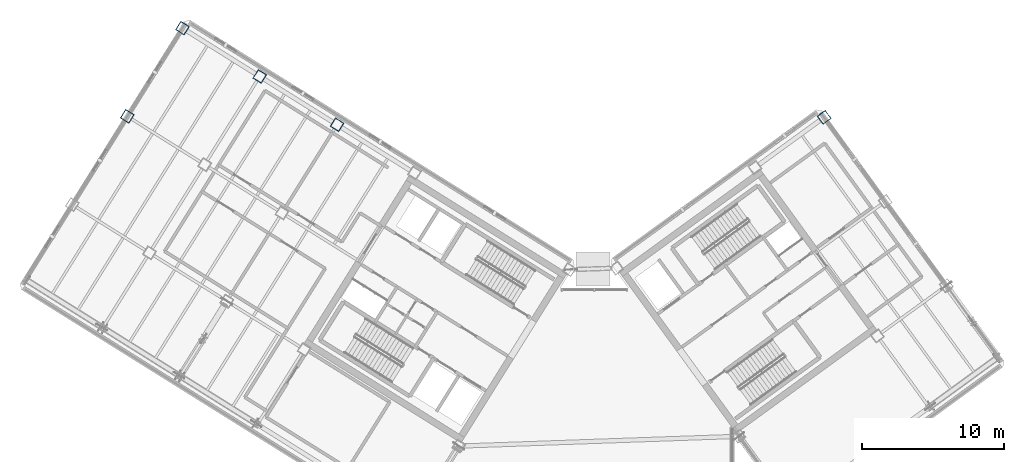
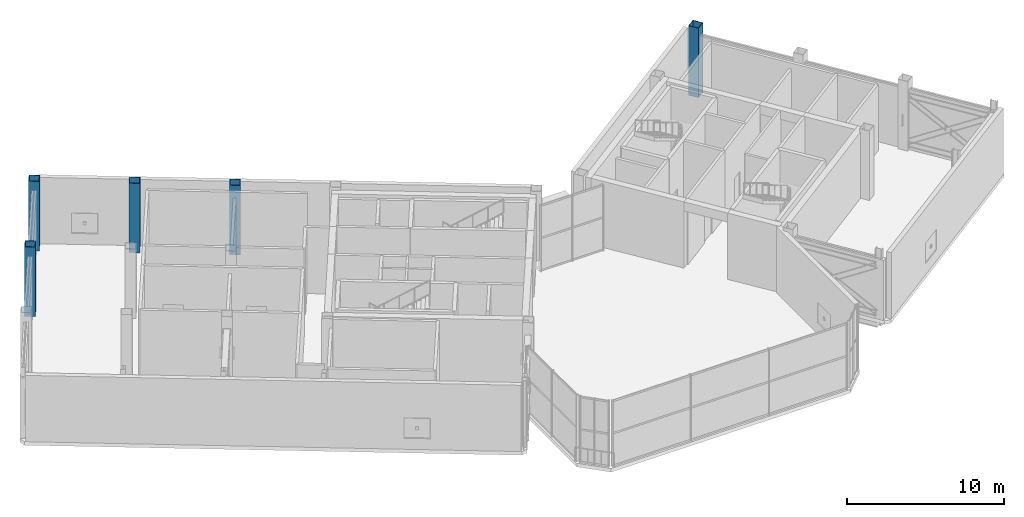
# One storey, part 3 of 32: 5 columns.
"""IFC4 building model written with IfcOpenShell, lengths in metres."""

from ifc_helpers import new_model, si_unit, direction, frame, origin, origin_2d, place, context, subcontext, project, spatial, hollow_rectangle, extrude, source, transform, mapped, material, material_profile, profile_set, type_object, element, save


model = new_model("IFC4")

# Units and contexts
model_context = context("Model", 3, precision=1e-05, world=origin(), true_north=direction((0.0, 1.0)))
body_context = subcontext(model_context, "Body", "Model", "MODEL_VIEW")
ifc_project = project(units=[si_unit("LENGTHUNIT", "METRE"), si_unit("AREAUNIT", "SQUARE_METRE"), si_unit("VOLUMEUNIT", "CUBIC_METRE"), si_unit("PLANEANGLEUNIT", "RADIAN"), si_unit("MASSUNIT", "GRAM", prefix="KILO")], contexts=[model_context])

# Site, building, storey
site_placement = place(None, origin())
site = spatial("IfcSite", under=ifc_project, at=site_placement, CompositionType="ELEMENT")
building_placement = place(site_placement, origin())
building = spatial("IfcBuilding", under=site, at=building_placement, Name="Tlacorven Tower", CompositionType="ELEMENT")
storey_placement = place(building_placement, frame((0.0, 0.0, 245.699951171875)))
storey = spatial("IfcBuildingStorey", under=building, at=storey_placement, Name="L62", CompositionType="ELEMENT", Elevation=245.699951171875)

# Columns
ifc_material = material(Name="Steel S460M", Category="steel")
ifc_material_profile = material_profile(ifc_material, hollow_rectangle(XDim=0.699951171875, YDim=0.699951171875, WallThickness=0.028076171875, at=origin_2d()), Name="BOX 700X700X28")
ifc_profile_set = profile_set([ifc_material_profile], Name="Steel S460M")
column_type = type_object("IfcColumnType", Name="COL-TWR-S4", PredefinedType="COLUMN", material=ifc_profile_set)
shared_shape = source(origin(), body_context, "Body", "SweptSolid", [
    extrude(hollow_rectangle(XDim=0.699951171875, YDim=0.699951171875, WallThickness=0.028076171875, at=origin_2d()), origin(), (0.0, 0.0, 1.0), 5.400146484375),
])
for number, where, z_axis, x_axis, name in (
    (1, (24.50048828125, 34.642822265625, 0.0), (0.0, 0.0, 1.0), (-0.848048096156, 0.529919264233, 0.0), "L62 column COL-L62-W4-1"),
    (2, (19.072998046875, 38.034423828125, 0.0), (0.0, 0.0, 1.0), (-0.848048096156, 0.529919264233, 0.0), "L62 column COL-L62-W5-1"),
    (3, (13.6455078125, 41.42578125, 0.0), (0.0, 0.0, 1.0), (-0.848048096156, 0.529919264233, 0.0), "L62 column COL-L62-W6-1"),
    (4, (9.777099609375, 35.235107421875, 0.0), (0.0, 0.0, 1.0), (-0.848048096156, 0.529919264233, 0.0), "L62 column COL-L62-W6-2"),
    (5, (58.68603515625, 35.165283203125, 0.0), (0.0, 0.0, 1.0), (0.809016994375, 0.587785252292, 0.0), "L62 column COL-L62-E4-4"),
):
    element("IfcColumn", number, at=place(storey_placement, frame(where, z_axis=z_axis, x_axis=x_axis)), inside=storey, type_object=column_type, Name=name, PredefinedType="COLUMN", context=body_context, shape_type="MappedRepresentation", body=[
        mapped(shared_shape, transform((0.0, 0.0, 0.0), scale=1.0)),
    ])

save(model, "model.ifc")
